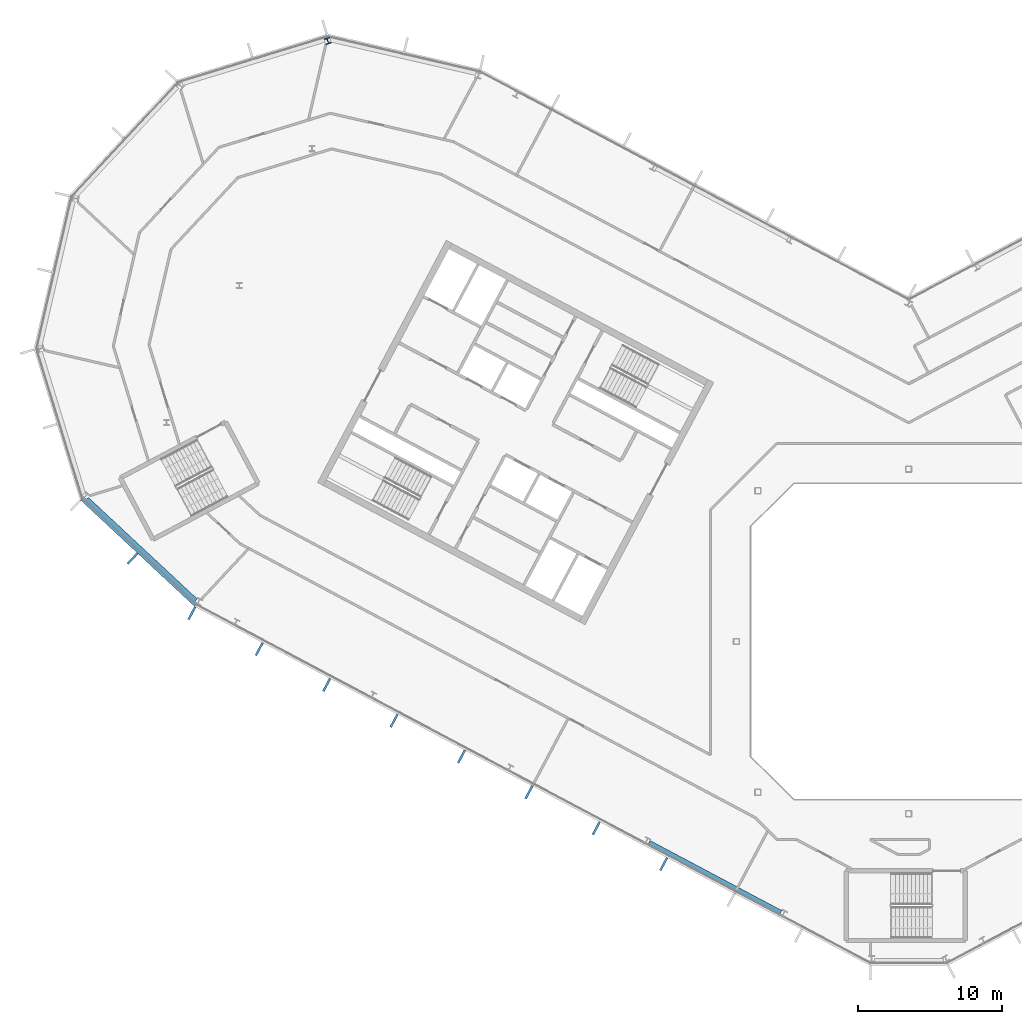
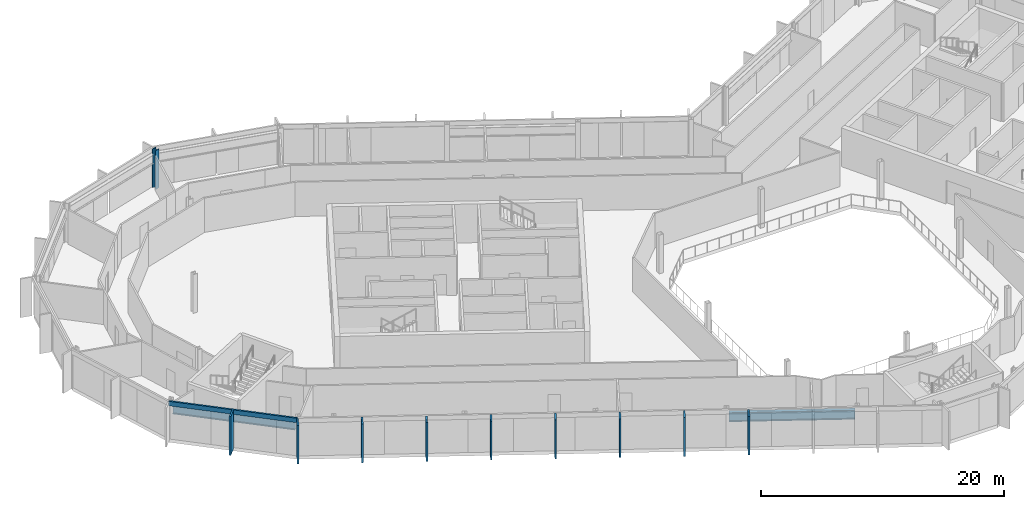
# One storey, part 8 of 26: 10 members, 2 beams, 1 column, 2 elements without a shape of their own.
"""IFC4 building model written with IfcOpenShell, lengths in metres."""

from ifc_helpers import new_model, si_unit, direction, frame, origin, origin_2d, place, context, subcontext, project, spatial, rectangle, i_section, extrude, material, layer, layer_set, material_profile, profile_set, type_object, element, aggregate, save


model = new_model("IFC4")

# Units and contexts
model_context = context("Model", 3, precision=1e-05, world=origin(), true_north=direction((0.0, 1.0)))
body_context = subcontext(model_context, "Body", "Model", "MODEL_VIEW")
ifc_project = project(units=[si_unit("LENGTHUNIT", "METRE"), si_unit("AREAUNIT", "SQUARE_METRE"), si_unit("VOLUMEUNIT", "CUBIC_METRE"), si_unit("PLANEANGLEUNIT", "RADIAN"), si_unit("MASSUNIT", "GRAM", prefix="KILO")], contexts=[model_context])

# Site, building, storey
site_placement = place(None, origin())
site = spatial("IfcSite", under=ifc_project, at=site_placement, CompositionType="ELEMENT")
building_placement = place(site_placement, origin())
building = spatial("IfcBuilding", under=site, at=building_placement, Name="Cormorant Relay Tower", CompositionType="ELEMENT")
storey_placement = place(building_placement, frame((0.0, 0.0, 316.5)))
storey = spatial("IfcBuildingStorey", under=building, at=storey_placement, Name="L72", CompositionType="ELEMENT", Elevation=316.5)

# Column
ifc_material_1 = material(Name="Steel ASTM A992 (Fy 345 MPa)", Category="steel")
ifc_material_profile_1 = material_profile(ifc_material_1, i_section(OverallWidth=0.40380859375, OverallDepth=0.406494140625, WebThickness=0.027099609375, FlangeThickness=0.043701171875, FilletRadius=0.01513671875, at=origin_2d()), Name="W360x347")
ifc_profile_set_1 = profile_set([ifc_material_profile_1], Name="Steel ASTM A992 (Fy 345 MPa)")
column_type = type_object("IfcColumnType", Name="Column W360x347", PredefinedType="COLUMN", material=ifc_profile_set_1)
column_placement = place(storey_placement, frame((-40.455078125, 41.823974609375, 0.0), z_axis=(0.0, 0.0, 1.0), x_axis=(-0.956304755963, -0.292371704723, 0.0)))
element("IfcColumn", 1, at=column_placement, inside=storey, type_object=column_type, Name="Column L72-043", PredefinedType="COLUMN", context=body_context, shape_type="SweptSolid", body=[
    extrude(i_section(OverallWidth=0.40380859375, OverallDepth=0.406494140625, WebThickness=0.027099609375, FlangeThickness=0.043701171875, FilletRadius=0.01513671875, at=origin_2d()), origin(), (0.0, 0.0, 1.0), 3.89990234375),
])

# Curtain wall, member
ifc_material_2 = material(Name="Aluminium 6063-T6 anodised bronze", Category="aluminium")
ifc_layer = layer(ifc_material_2, 0.199951171875)
ifc_layer_set = layer_set([ifc_layer], Name="CW1 unitised bronze curtain wall with vertical fins")
curtain_wall_type = type_object("IfcCurtainWallType", Name="CW1 unitised bronze curtain wall with vertical fins", PredefinedType="NOTDEFINED", material=ifc_layer_set)
curtain_wall_1_placement = place(storey_placement, origin())
curtain_wall_1 = element("IfcCurtainWall", 2, at=curtain_wall_1_placement, inside=storey, type_object=curtain_wall_type, Name="CW1 curtain wall 15", PredefinedType="NOTDEFINED")
ifc_material_3 = material(Name="Aluminium 6063-T6 anodised bronze", Category="aluminium")
ifc_material_profile_2 = material_profile(ifc_material_3, rectangle(XDim=0.14990234375, YDim=1.0, at=origin_2d()), Name="AL 150x1000")
ifc_profile_set_2 = profile_set([ifc_material_profile_2], Name="Aluminium 6063-T6 anodised bronze")
member_type_1 = type_object("IfcMemberType", Name="CW1 bronze fin mullion 150 x 1000", PredefinedType="MULLION", material=ifc_profile_set_2)
member_1_placement = place(storey_placement, frame((-54.0439453125, 5.779296875, 0.0), z_axis=(0.0, 0.0, 1.0), x_axis=(0.731353701619, -0.681998360062, 0.0)))
member_1 = element("IfcMember", 3, at=member_1_placement, type_object=member_type_1, Name="CW1 fin 15.2", PredefinedType="MULLION", context=body_context, shape_type="SweptSolid", body=[
    extrude(rectangle(XDim=0.14990234375, YDim=1.0, at=origin_2d()), origin(), (0.0, 0.0, 1.0), 3.89990234375),
])

# Curtain wall, members
curtain_wall_2_placement = place(storey_placement, origin())
curtain_wall_2 = element("IfcCurtainWall", 4, at=curtain_wall_2_placement, inside=storey, type_object=curtain_wall_type, Name="CW1 curtain wall 16", PredefinedType="NOTDEFINED")
member_2_placement = place(storey_placement, frame((-49.920166015625, 1.96630859375, 0.0), z_axis=(0.0, 0.0, 1.0), x_axis=(0.882947592859, -0.469471562786, 0.0)))
member_2 = element("IfcMember", 5, at=member_2_placement, type_object=member_type_1, Name="CW1 fin 16.1", PredefinedType="MULLION", context=body_context, shape_type="SweptSolid", body=[
    extrude(rectangle(XDim=0.14990234375, YDim=1.0, at=origin_2d()), origin(), (0.0, 0.0, 1.0), 3.89990234375),
])
member_3_placement = place(storey_placement, frame((-45.225830078125, -0.52978515625, 0.0), z_axis=(0.0, 0.0, 1.0), x_axis=(0.882947592859, -0.469471562786, 0.0)))
member_3 = element("IfcMember", 6, at=member_3_placement, type_object=member_type_1, Name="CW1 fin 16.2", PredefinedType="MULLION", context=body_context, shape_type="SweptSolid", body=[
    extrude(rectangle(XDim=0.14990234375, YDim=1.0, at=origin_2d()), origin(), (0.0, 0.0, 1.0), 3.89990234375),
])
member_4_placement = place(storey_placement, frame((-40.531494140625, -3.025634765625, 0.0), z_axis=(0.0, 0.0, 1.0), x_axis=(0.882947592859, -0.469471562786, 0.0)))
member_4 = element("IfcMember", 7, at=member_4_placement, type_object=member_type_1, Name="CW1 fin 16.3", PredefinedType="MULLION", context=body_context, shape_type="SweptSolid", body=[
    extrude(rectangle(XDim=0.14990234375, YDim=1.0, at=origin_2d()), origin(), (0.0, 0.0, 1.0), 3.89990234375),
])
member_5_placement = place(storey_placement, frame((-35.83740234375, -5.521728515625, 0.0), z_axis=(0.0, 0.0, 1.0), x_axis=(0.882947592859, -0.469471562786, 0.0)))
member_5 = element("IfcMember", 8, at=member_5_placement, type_object=member_type_1, Name="CW1 fin 16.4", PredefinedType="MULLION", context=body_context, shape_type="SweptSolid", body=[
    extrude(rectangle(XDim=0.14990234375, YDim=1.0, at=origin_2d()), origin(), (0.0, 0.0, 1.0), 3.89990234375),
])
member_6_placement = place(storey_placement, frame((-31.14306640625, -8.017578125, 0.0), z_axis=(0.0, 0.0, 1.0), x_axis=(0.882947592859, -0.469471562786, 0.0)))
member_6 = element("IfcMember", 9, at=member_6_placement, type_object=member_type_1, Name="CW1 fin 16.5", PredefinedType="MULLION", context=body_context, shape_type="SweptSolid", body=[
    extrude(rectangle(XDim=0.14990234375, YDim=1.0, at=origin_2d()), origin(), (0.0, 0.0, 1.0), 3.89990234375),
])
member_7_placement = place(storey_placement, frame((-26.44873046875, -10.513671875, 0.0), z_axis=(0.0, 0.0, 1.0), x_axis=(0.882947592859, -0.469471562786, 0.0)))
member_7 = element("IfcMember", 10, at=member_7_placement, type_object=member_type_1, Name="CW1 fin 16.6", PredefinedType="MULLION", context=body_context, shape_type="SweptSolid", body=[
    extrude(rectangle(XDim=0.14990234375, YDim=1.0, at=origin_2d()), origin(), (0.0, 0.0, 1.0), 3.89990234375),
])
member_8_placement = place(storey_placement, frame((-21.754638671875, -13.009765625, 0.0), z_axis=(0.0, 0.0, 1.0), x_axis=(0.882947592859, -0.469471562786, 0.0)))
member_8 = element("IfcMember", 11, at=member_8_placement, type_object=member_type_1, Name="CW1 fin 16.7", PredefinedType="MULLION", context=body_context, shape_type="SweptSolid", body=[
    extrude(rectangle(XDim=0.14990234375, YDim=1.0, at=origin_2d()), origin(), (0.0, 0.0, 1.0), 3.89990234375),
])
member_9_placement = place(storey_placement, frame((-17.060302734375, -15.505615234375, 0.0), z_axis=(0.0, 0.0, 1.0), x_axis=(0.882947592859, -0.469471562786, 0.0)))
member_9 = element("IfcMember", 12, at=member_9_placement, type_object=member_type_1, Name="CW1 fin 16.8", PredefinedType="MULLION", context=body_context, shape_type="SweptSolid", body=[
    extrude(rectangle(XDim=0.14990234375, YDim=1.0, at=origin_2d()), origin(), (0.0, 0.0, 1.0), 3.89990234375),
])
aggregate(curtain_wall_2, [member_2, member_3, member_4, member_5, member_6, member_7, member_8, member_9])

# Member
ifc_material_4 = material(Name="Aluminium 6063-T6 anodised bronze", Category="aluminium")
ifc_material_profile_3 = material_profile(ifc_material_4, rectangle(XDim=0.159912109375, YDim=0.449951171875, at=origin_2d()), Name="AL 160x450")
ifc_profile_set_3 = profile_set([ifc_material_profile_3], Name="Aluminium 6063-T6 anodised bronze")
member_type_2 = type_object("IfcMemberType", Name="CW1 bronze transom 160 x 450", PredefinedType="USERDEFINED", material=ifc_profile_set_3)
member_10_placement = place(storey_placement, frame((-57.62353515625, 9.91015625, 3.675048828125), z_axis=(0.731358420696, -0.681993299437, 0.0), x_axis=(0.681993299437, 0.731358420696, 0.0)))
member_10 = element("IfcMember", 13, at=member_10_placement, type_object=member_type_2, Name="CW1 transom 15", ObjectType="TRANSOM", PredefinedType="USERDEFINED", context=body_context, shape_type="SweptSolid", body=[
    extrude(rectangle(XDim=0.159912109375, YDim=0.449951171875, at=origin_2d()), origin(), (0.0, 0.0, 1.0), 10.870361328125),
])

aggregate(curtain_wall_1, [member_1, member_10])

# Beams
ifc_material_5 = material(Name="Steel ASTM A992 (Fy 345 MPa)", Category="steel")
ifc_material_profile_4 = material_profile(ifc_material_5, i_section(OverallWidth=0.307373046875, OverallDepth=0.927001953125, WebThickness=0.019287109375, FlangeThickness=0.031982421875, FilletRadius=0.01904296875, at=origin_2d()), Name="W920x289")
ifc_profile_set_4 = profile_set([ifc_material_profile_4], Name="Steel ASTM A992 (Fy 345 MPa)")
beam_type = type_object("IfcBeamType", Name="Spandrel W920x289", PredefinedType="SPANDREL", material=ifc_profile_set_4)
beam_1_placement = place(storey_placement, frame((-57.234619140625, 9.921630859375, 2.986328125), z_axis=(0.731364191518, -0.681987110849, 0.0), x_axis=(0.681987110849, 0.731364191518, 0.0)))
element("IfcBeam", 14, at=beam_1_placement, inside=storey, type_object=beam_type, Name="Spandrel beam L72-015", PredefinedType="SPANDREL", context=body_context, shape_type="SweptSolid", body=[
    extrude(i_section(OverallWidth=0.307373046875, OverallDepth=0.927001953125, WebThickness=0.019287109375, FlangeThickness=0.031982421875, FilletRadius=0.01904296875, at=origin_2d()), origin(), (0.0, 0.0, 1.0), 10.37841796875),
])
beam_2_placement = place(storey_placement, frame((-18.0869140625, -13.992919921875, 2.986328125), z_axis=(0.882946088703, -0.469474391681, 0.0), x_axis=(0.469474391681, 0.882946088703, 0.0)))
element("IfcBeam", 15, at=beam_2_placement, inside=storey, type_object=beam_type, Name="Spandrel beam L72-016", PredefinedType="SPANDREL", context=body_context, shape_type="SweptSolid", body=[
    extrude(i_section(OverallWidth=0.307373046875, OverallDepth=0.927001953125, WebThickness=0.019287109375, FlangeThickness=0.031982421875, FilletRadius=0.01904296875, at=origin_2d()), origin(), (0.0, 0.0, 1.0), 10.401611328125),
])

save(model, "model.ifc")
